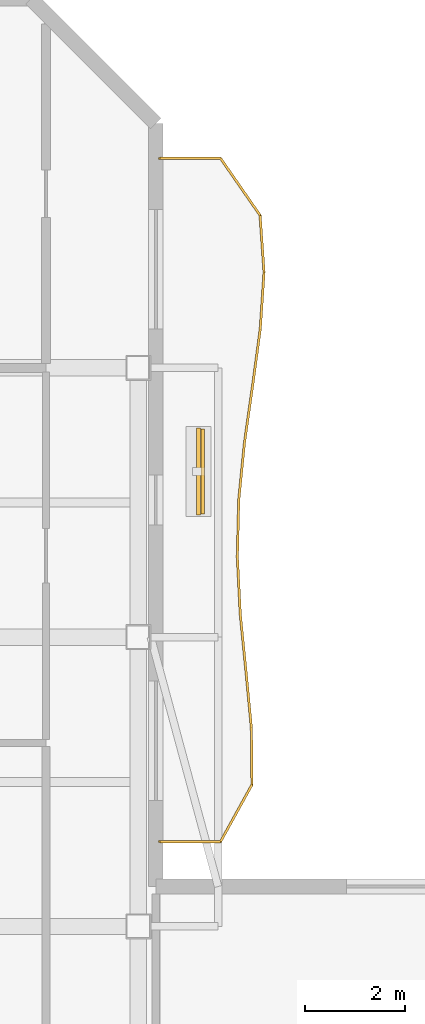
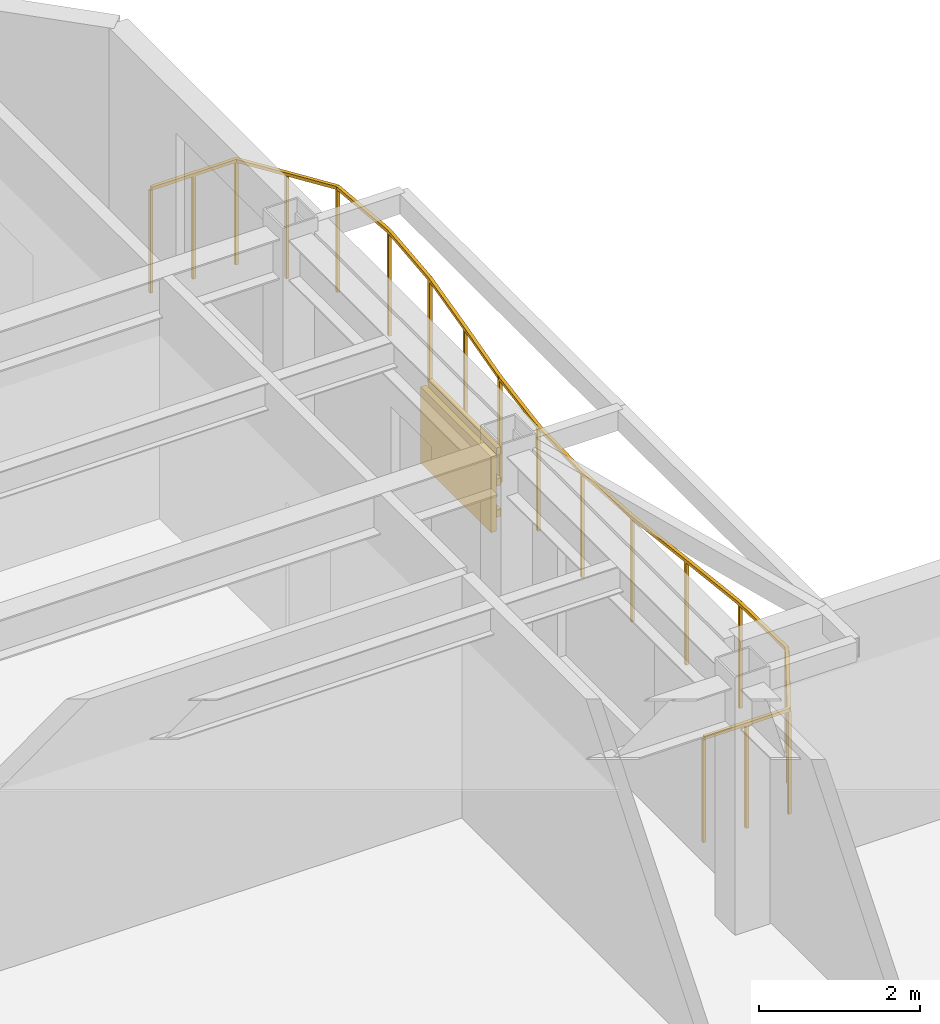
# One storey, part 9 of 9: 4 shading devices, 1 railing.
"""IFC4 building model written with IfcOpenShell, lengths in metres."""

from ifc_helpers import new_model, si_unit, direction, frame, origin, origin_2d, place, context, subcontext, project, spatial, rectangle, extrude, material, layer, layer_set, material_profile, profile_set, type_object, element, save


model = new_model("IFC4")

# Units and contexts
model_context = context("Model", 3, precision=1e-05, world=origin(), true_north=direction((0.0, 1.0)))
body_context = subcontext(model_context, "Body", "Model", "MODEL_VIEW")
ifc_project = project(units=[si_unit("LENGTHUNIT", "METRE"), si_unit("AREAUNIT", "SQUARE_METRE"), si_unit("VOLUMEUNIT", "CUBIC_METRE"), si_unit("PLANEANGLEUNIT", "RADIAN"), si_unit("MASSUNIT", "GRAM", prefix="KILO")], contexts=[model_context])

# Site, building, storey
site_placement = place(None, origin())
site = spatial("IfcSite", under=ifc_project, at=site_placement, CompositionType="ELEMENT")
building_placement = place(site_placement, origin())
building = spatial("IfcBuilding", under=site, at=building_placement, Name="Mawjaban Terraces University", CompositionType="ELEMENT")
storey_placement = place(building_placement, frame((0.0, 0.0, 111.199951171875)))
storey = spatial("IfcBuildingStorey", under=building, at=storey_placement, Name="L26", CompositionType="ELEMENT", Elevation=111.199951171875)

# Railing
ifc_material_1 = material(Name="Galvanised powder-coated steel S355", Category="steel")
railing_type = type_object("IfcRailingType", Name="BalconyBalustrade_1600", PredefinedType="BALUSTRADE", material=ifc_material_1)
railing_placement = place(storey_placement, frame((38.080078125, 31.699951171875, 0.0)))
element("IfcRailing", 1, at=railing_placement, inside=storey, type_object=railing_type, Name="L26 Balcony Guardrail inner_east", PredefinedType="BALUSTRADE", context=body_context, shape_type="SweptSolid", body=[
    extrude(rectangle(XDim=0.048095703125, YDim=0.048095703125, at=origin_2d()), frame((0.0, 0.0, 1.576171875), z_axis=(1.0, 0.0, 0.0), x_axis=(0.0, 1.0, 0.0)), (0.0, 0.0, 1.0), 1.219970703125),
    extrude(rectangle(XDim=0.048095703125, YDim=0.048095703125, at=origin_2d()), frame((1.219970703125, 0.0, 1.576171875), z_axis=(0.482938781998, 0.875654117127, 0.0), x_axis=(-0.875654117127, 0.482938781998, 0.0)), (0.0, 0.0, 1.0), 1.30419921875),
    extrude(rectangle(XDim=0.048095703125, YDim=0.048095703125, at=origin_2d()), frame((1.849853515625, 1.14208984375, 1.576171875), z_axis=(-0.010485192898, 0.999945028854, 0.0), x_axis=(-0.999945028854, -0.010485192898, 0.0)), (0.0, 0.0, 1.0), 1.140869140625),
    extrude(rectangle(XDim=0.048095703125, YDim=0.048095703125, at=origin_2d()), frame((1.837890625, 2.282958984375, 1.576171875), z_axis=(-0.094909515374, 0.995485903412, 0.0), x_axis=(-0.995485903412, -0.094909515374, 0.0)), (0.0, 0.0, 1.0), 1.147216796875),
    extrude(rectangle(XDim=0.048095703125, YDim=0.048095703125, at=origin_2d()), frame((1.72900390625, 3.425048828125, 1.576171875), z_axis=(-0.099335234994, 0.995054024206, 0.0), x_axis=(-0.995054024206, -0.099335234994, 0.0)), (0.0, 0.0, 1.0), 1.147705078125),
    extrude(rectangle(XDim=0.048095703125, YDim=0.048095703125, at=origin_2d()), frame((1.614990234375, 4.567138671875, 1.576171875), z_axis=(-0.050864951562, 0.998705540539, 0.0), x_axis=(-0.998705540539, -0.050864951562, 0.0)), (0.0, 0.0, 1.0), 1.142333984375),
    extrude(rectangle(XDim=0.048095703125, YDim=0.048095703125, at=origin_2d()), frame((1.556884765625, 5.7080078125, 1.576171875), z_axis=(0.024575730372, 0.999697971128, 0.0), x_axis=(-0.999697971128, 0.024575730372, 0.0)), (0.0, 0.0, 1.0), 1.142333984375),
    extrude(rectangle(XDim=0.048095703125, YDim=0.048095703125, at=origin_2d()), frame((1.5849609375, 6.85009765625, 1.576171875), z_axis=(0.099356264444, 0.995051924633, 0.0), x_axis=(-0.995051924633, 0.099356264444, 0.0)), (0.0, 0.0, 1.0), 1.1474609375),
    extrude(rectangle(XDim=0.048095703125, YDim=0.048095703125, at=origin_2d()), frame((1.698974609375, 7.991943359375, 1.576171875), z_axis=(0.141273092036, 0.989970662932, 0.0), x_axis=(-0.989970662932, 0.141273092036, 0.0)), (0.0, 0.0, 1.0), 1.152587890625),
    extrude(rectangle(XDim=0.048095703125, YDim=0.048095703125, at=origin_2d()), frame((1.86181640625, 9.133056640625, 1.576171875), z_axis=(0.133676105636, 0.991025074749, 0.0), x_axis=(-0.991025074749, 0.133676105636, 0.0)), (0.0, 0.0, 1.0), 1.15234375),
    extrude(rectangle(XDim=0.048095703125, YDim=0.048095703125, at=origin_2d()), frame((2.015869140625, 10.275146484375, 1.576171875), z_axis=(0.06656148929, 0.997782325031, 0.0), x_axis=(-0.997782325031, 0.06656148929, 0.0)), (0.0, 0.0, 1.0), 1.144287109375),
    extrude(rectangle(XDim=0.048095703125, YDim=0.048095703125, at=origin_2d()), frame((2.092041015625, 11.4169921875, 1.576171875), z_axis=(-0.070003281481, 0.9975467611, 0.0), x_axis=(-0.9975467611, -0.070003281481, 0.0)), (0.0, 0.0, 1.0), 1.143798828125),
    extrude(rectangle(XDim=0.048095703125, YDim=0.048095703125, at=origin_2d()), frame((2.011962890625, 12.55810546875, 1.576171875), z_axis=(-0.569931485344, 0.821692218543, 0.0), x_axis=(-0.821692218543, -0.569931485344, 0.0)), (0.0, 0.0, 1.0), 1.3896484375),
    extrude(rectangle(XDim=0.048095703125, YDim=0.048095703125, at=origin_2d()), frame((1.219970703125, 13.699951171875, 1.576171875), z_axis=(-1.0, 0.0, 0.0), x_axis=(0.0, -1.0, 0.0)), (0.0, 0.0, 1.0), 1.219970703125),
    extrude(rectangle(XDim=0.0419921875, YDim=0.0419921875, at=origin_2d()), origin(), (0.0, 0.0, 1.0), 1.552001953125),
    extrude(rectangle(XDim=0.0419921875, YDim=0.0419921875, at=origin_2d()), frame((0.60986328125, 0.0, 0.0)), (0.0, 0.0, 1.0), 1.552001953125),
    extrude(rectangle(XDim=0.0419921875, YDim=0.0419921875, at=origin_2d()), frame((1.219970703125, 0.0, 0.0)), (0.0, 0.0, 1.0), 1.552001953125),
    extrude(rectangle(XDim=0.0419921875, YDim=0.0419921875, at=origin_2d()), frame((1.534912109375, 0.571044921875, 0.0)), (0.0, 0.0, 1.0), 1.552001953125),
    extrude(rectangle(XDim=0.0419921875, YDim=0.0419921875, at=origin_2d()), frame((1.849853515625, 1.14208984375, 0.0)), (0.0, 0.0, 1.0), 1.552001953125),
    extrude(rectangle(XDim=0.0419921875, YDim=0.0419921875, at=origin_2d()), frame((1.837890625, 2.282958984375, 0.0)), (0.0, 0.0, 1.0), 1.552001953125),
    extrude(rectangle(XDim=0.0419921875, YDim=0.0419921875, at=origin_2d()), frame((1.72900390625, 3.425048828125, 0.0)), (0.0, 0.0, 1.0), 1.552001953125),
    extrude(rectangle(XDim=0.0419921875, YDim=0.0419921875, at=origin_2d()), frame((1.614990234375, 4.567138671875, 0.0)), (0.0, 0.0, 1.0), 1.552001953125),
    extrude(rectangle(XDim=0.0419921875, YDim=0.0419921875, at=origin_2d()), frame((1.556884765625, 5.7080078125, 0.0)), (0.0, 0.0, 1.0), 1.552001953125),
    extrude(rectangle(XDim=0.0419921875, YDim=0.0419921875, at=origin_2d()), frame((1.5849609375, 6.85009765625, 0.0)), (0.0, 0.0, 1.0), 1.552001953125),
    extrude(rectangle(XDim=0.0419921875, YDim=0.0419921875, at=origin_2d()), frame((1.698974609375, 7.991943359375, 0.0)), (0.0, 0.0, 1.0), 1.552001953125),
    extrude(rectangle(XDim=0.0419921875, YDim=0.0419921875, at=origin_2d()), frame((1.86181640625, 9.133056640625, 0.0)), (0.0, 0.0, 1.0), 1.552001953125),
    extrude(rectangle(XDim=0.0419921875, YDim=0.0419921875, at=origin_2d()), frame((2.015869140625, 10.275146484375, 0.0)), (0.0, 0.0, 1.0), 1.552001953125),
    extrude(rectangle(XDim=0.0419921875, YDim=0.0419921875, at=origin_2d()), frame((2.092041015625, 11.4169921875, 0.0)), (0.0, 0.0, 1.0), 1.552001953125),
    extrude(rectangle(XDim=0.0419921875, YDim=0.0419921875, at=origin_2d()), frame((2.011962890625, 12.55810546875, 0.0)), (0.0, 0.0, 1.0), 1.552001953125),
    extrude(rectangle(XDim=0.0419921875, YDim=0.0419921875, at=origin_2d()), frame((1.615966796875, 13.12890625, 0.0)), (0.0, 0.0, 1.0), 1.552001953125),
    extrude(rectangle(XDim=0.0419921875, YDim=0.0419921875, at=origin_2d()), frame((1.219970703125, 13.699951171875, 0.0)), (0.0, 0.0, 1.0), 1.552001953125),
    extrude(rectangle(XDim=0.0419921875, YDim=0.0419921875, at=origin_2d()), frame((0.60986328125, 13.699951171875, 0.0)), (0.0, 0.0, 1.0), 1.552001953125),
    extrude(rectangle(XDim=0.0419921875, YDim=0.0419921875, at=origin_2d()), frame((0.0, 13.699951171875, 0.0)), (0.0, 0.0, 1.0), 1.552001953125),
])

# Shading devices
ifc_material_2 = material(Name="Glazed architectural terracotta ceramic", Category="masonry")
ifc_material_profile = material_profile(ifc_material_2, rectangle(XDim=0.06494140625, YDim=0.110107421875, at=origin_2d()), Name="TBAG110X65")
ifc_profile_set = profile_set([ifc_material_profile], Name="Glazed architectural terracotta ceramic")
shading_device_type_1 = type_object("IfcShadingDeviceType", Name="TerracottaBaguette_110x65", PredefinedType="USERDEFINED", material=ifc_profile_set)
for number, where, z_axis, x_axis, name in (
    (2, (38.94091796875, 38.27099609375, 0.679931640625), (0.0, 1.0, 0.0), (-1.0, 0.0, 0.0), "L26 Horizontal Terracotta Baguette inner_east.1"),
    (3, (38.94091796875, 38.27099609375, 1.150146484375), (0.0, 1.0, 0.0), (-1.0, 0.0, 0.0), "L26 Horizontal Terracotta Baguette inner_east.2"),
    (4, (38.94091796875, 38.27099609375, 1.6201171875), (0.0, 1.0, 0.0), (-1.0, 0.0, 0.0), "L26 Horizontal Terracotta Baguette inner_east.3"),
):
    element("IfcShadingDevice", number, at=place(storey_placement, frame(where, z_axis=z_axis, x_axis=x_axis)), inside=storey, type_object=shading_device_type_1, Name=name, ObjectType="BAGUETTE", PredefinedType="USERDEFINED", context=body_context, shape_type="SweptSolid", body=[
        extrude(rectangle(XDim=0.06494140625, YDim=0.110107421875, at=origin_2d()), origin(), (0.0, 0.0, 1.0), 1.699951171875),
    ])
ifc_layer = layer(ifc_material_2, 0.080078125)
ifc_layer_set = layer_set([ifc_layer], Name="Glazed architectural terracotta ceramic")
shading_device_type_2 = type_object("IfcShadingDeviceType", Name="TerracottaScreen_Perforated", PredefinedType="USERDEFINED", material=ifc_layer_set)
shading_device_placement = place(storey_placement, frame((38.85595703125, 39.12109375, 0.440185546875), z_axis=(0.0, 0.0, 1.0), x_axis=(0.0, 1.0, 0.0)))
element("IfcShadingDevice", 5, at=shading_device_placement, inside=storey, type_object=shading_device_type_2, Name="L26 Balcony Perforated Terracotta Screen inner_east", ObjectType="SCREEN", PredefinedType="USERDEFINED", context=body_context, shape_type="SweptSolid", body=[
    extrude(rectangle(XDim=1.75, YDim=0.080078125, at=origin_2d()), origin(), (0.0, 0.0, 1.0), 1.14990234375),
])

save(model, "model.ifc")
